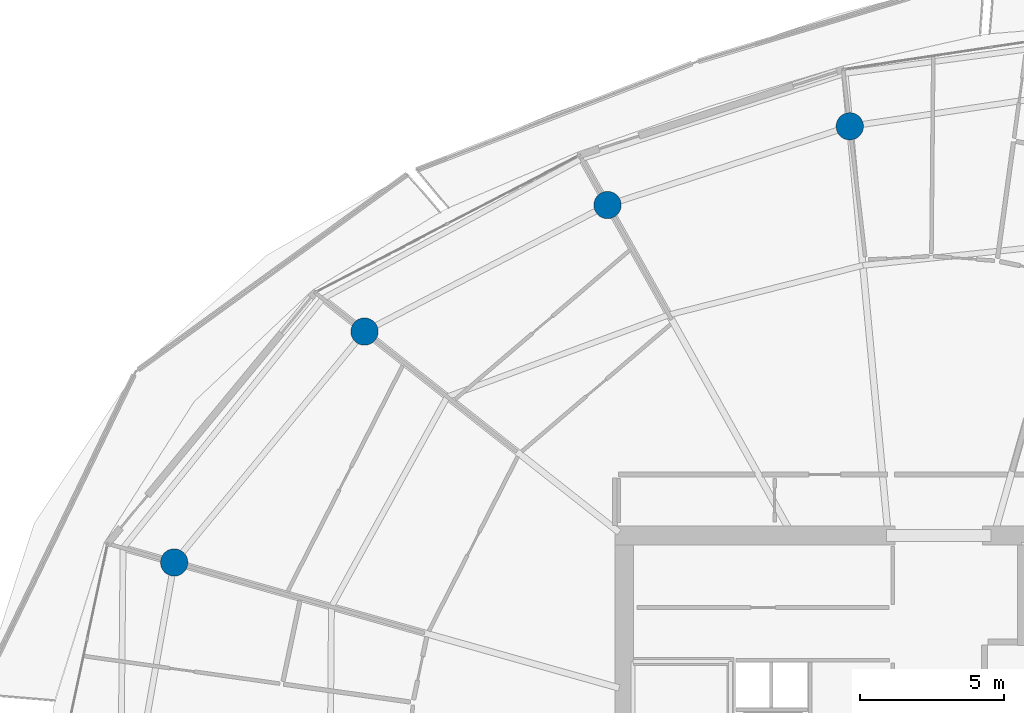
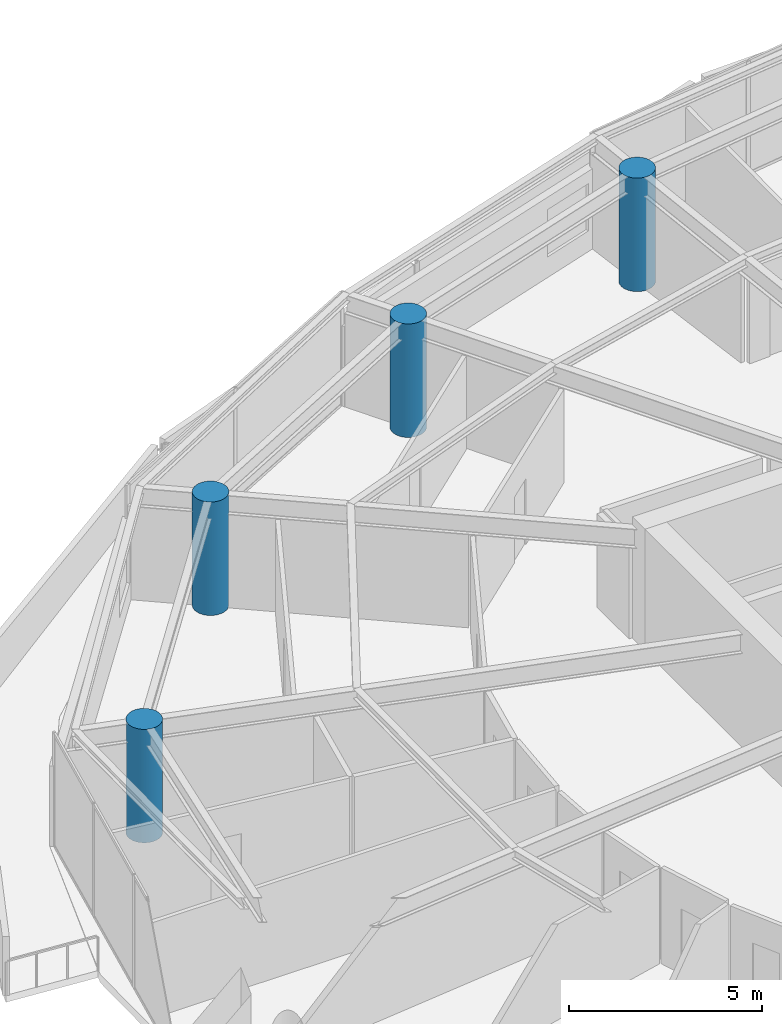
# One storey, part 4 of 31: 4 columns.
"""IFC4 building model written with IfcOpenShell, lengths in metres."""

from ifc_helpers import new_model, si_unit, direction, frame, origin, origin_2d, place, context, subcontext, project, spatial, circle, extrude, material, material_profile, profile_set, type_object, element, save


model = new_model("IFC4")

# Units and contexts
model_context = context("Model", 3, precision=1e-05, world=origin(), true_north=direction((0.0, 1.0)))
body_context = subcontext(model_context, "Body", "Model", "MODEL_VIEW")
ifc_project = project(units=[si_unit("LENGTHUNIT", "METRE"), si_unit("AREAUNIT", "SQUARE_METRE"), si_unit("VOLUMEUNIT", "CUBIC_METRE"), si_unit("PLANEANGLEUNIT", "RADIAN"), si_unit("MASSUNIT", "GRAM", prefix="KILO")], contexts=[model_context])

# Site, building, storey
site_placement = place(None, origin())
site = spatial("IfcSite", under=ifc_project, at=site_placement, CompositionType="ELEMENT")
building_placement = place(site_placement, origin())
building = spatial("IfcBuilding", under=site, at=building_placement, Name="Kazma Halo Residences", CompositionType="ELEMENT")
storey_placement = place(building_placement, frame((0.0, 0.0, 259.800048828125)))
storey = spatial("IfcBuildingStorey", under=building, at=storey_placement, Name="L65", CompositionType="ELEMENT", Elevation=259.800048828125)

# Columns
ifc_material = material(Name="Concrete C60/75", Category="concrete")
ifc_material_profile = material_profile(ifc_material, circle(Radius=0.47509765625, at=origin_2d()), Name="CIRC950")
ifc_profile_set = profile_set([ifc_material_profile], Name="Concrete C60/75")
column_type = type_object("IfcColumnType", Name="COL-PERIM-950", PredefinedType="COLUMN", material=ifc_profile_set)
for number, where, z_axis, x_axis, name in (
    (1, (45.32861328125, 64.57080078125, 0.0), (0.0, 0.0, 1.0), (1.0, 0.0, 0.0), "L65 perimeter ring column P04"),
    (2, (36.89453125, 61.830322265625, 0.0), (0.0, 0.0, 1.0), (1.0, 0.0, 0.0), "L65 perimeter ring column P05"),
    (3, (28.433837890625, 57.4248046875, 0.0), (0.0, 0.0, 1.0), (1.0, 0.0, 0.0), "L65 perimeter ring column P06"),
    (4, (21.80908203125, 49.38671875, 0.0), (0.0, 0.0, 1.0), (1.0, 0.0, 0.0), "L65 perimeter ring column P07"),
):
    element("IfcColumn", number, at=place(storey_placement, frame(where, z_axis=z_axis, x_axis=x_axis)), inside=storey, type_object=column_type, Name=name, PredefinedType="COLUMN", context=body_context, shape_type="SweptSolid", body=[
        extrude(circle(Radius=0.47509765625, at=origin_2d()), origin(), (0.0, 0.0, 1.0), 3.58984375),
    ])

save(model, "model.ifc")
